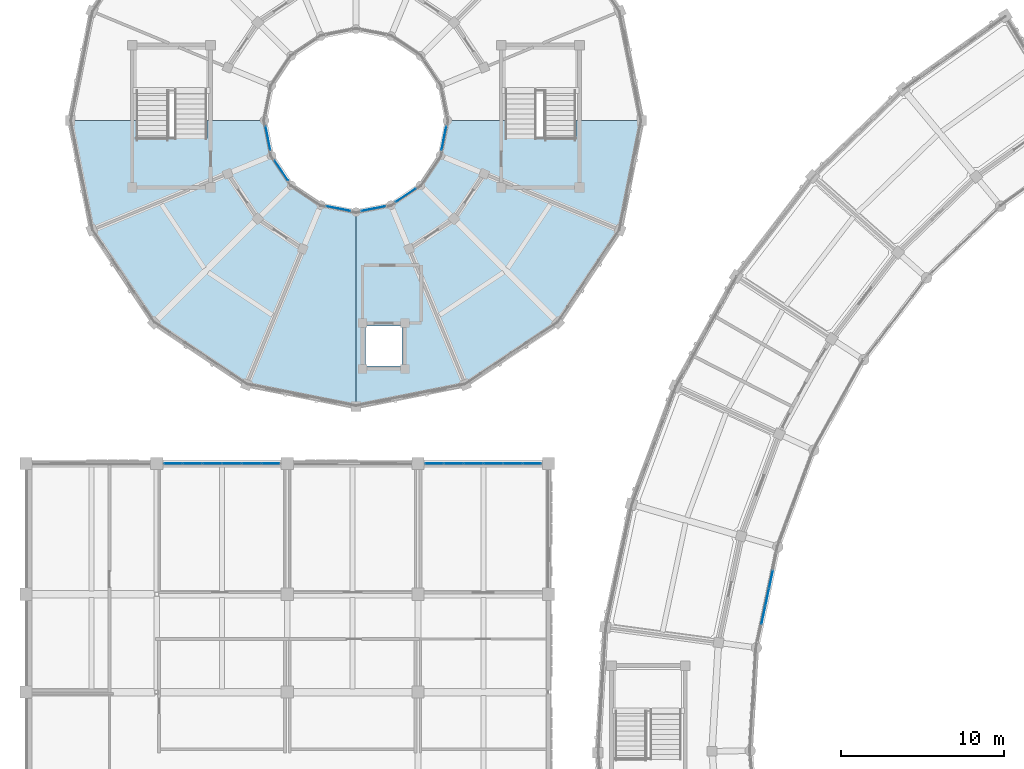
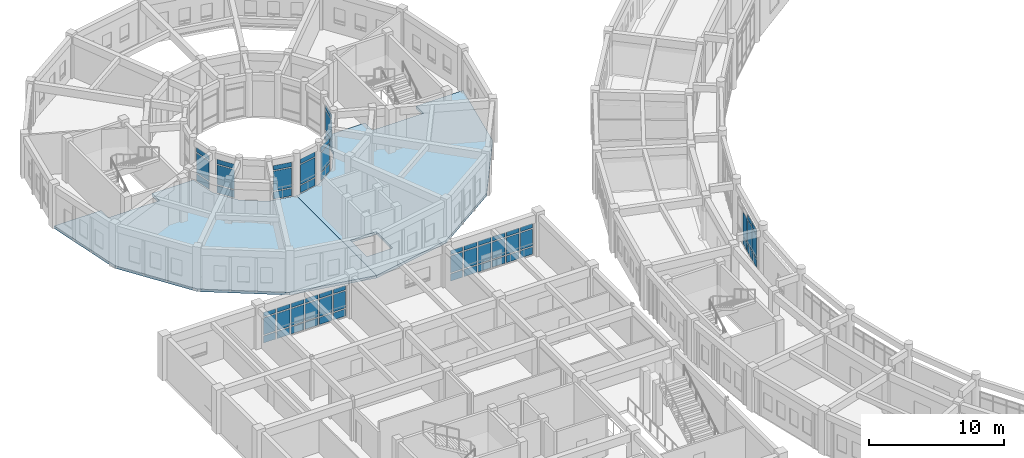
# One storey, part 108 of 159: 62 plates, 2 slabs, 9 elements without a shape of their own.
"""IFC4 building model written with IfcOpenShell, lengths in metres."""

from ifc_helpers import new_model, si_unit, direction, frame, origin, origin_2d, place, context, subcontext, project, spatial, polyline, rectangle, outline, extrude, material, layer, layer_set, type_object, element, aggregate, save


model = new_model("IFC4")

# Units and contexts
model_context = context("Model", 3, precision=1e-05, world=origin(), true_north=direction((0.0, 1.0)))
body_context = subcontext(model_context, "Body", "Model", "MODEL_VIEW")
ifc_project = project(units=[si_unit("LENGTHUNIT", "METRE"), si_unit("AREAUNIT", "SQUARE_METRE"), si_unit("VOLUMEUNIT", "CUBIC_METRE"), si_unit("PLANEANGLEUNIT", "RADIAN"), si_unit("MASSUNIT", "GRAM", prefix="KILO")], contexts=[model_context])

# Site, building, storey
site_placement = place(None, origin())
site = spatial("IfcSite", under=ifc_project, at=site_placement, CompositionType="ELEMENT")
building_placement = place(site_placement, origin())
building = spatial("IfcBuilding", under=site, at=building_placement, Name="Celadon Cloister-Ring School", CompositionType="ELEMENT")
storey_placement = place(building_placement, frame((0.0, 0.0, 4.5)))
storey = spatial("IfcBuildingStorey", under=building, at=storey_placement, Name="L01", CompositionType="ELEMENT", Elevation=4.5)

# Curtain wall, plates
ifc_material_1 = material(Name="Aluminium EN AW-6063 T6", Category="aluminium")
curtain_wall_type_1 = type_object("IfcCurtainWallType", Name="CW-04", PredefinedType="USERDEFINED", material=ifc_material_1)
curtain_wall_1_placement = place(storey_placement, origin())
curtain_wall_1 = element("IfcCurtainWall", 1, at=curtain_wall_1_placement, inside=storey, type_object=curtain_wall_type_1, Name="Curtain Wall 0097", ObjectType="CURTAIN WALL", PredefinedType="USERDEFINED")
ifc_material_2 = material(Name="Tempered laminated insulating glass", Category="glass")
ifc_layer_1 = layer(ifc_material_2, 0.02001953125)
ifc_layer_set_1 = layer_set([ifc_layer_1], Name="Tempered laminated insulating glass")
plate_type_1 = type_object("IfcPlateType", Name="CPN-01", PredefinedType="CURTAIN_PANEL", material=ifc_layer_set_1)
plate_1_placement = place(storey_placement, frame((14.81298828125, 95.928466796875, 0.090087890625), z_axis=(0.0, 0.0, 1.0), x_axis=(0.194586131301, -0.980885435464, 0.0)))
plate_1 = element("IfcPlate", 2, at=plate_1_placement, type_object=plate_type_1, Name="CW-04 panel 1.1", PredefinedType="CURTAIN_PANEL", context=body_context, shape_type="SweptSolid", body=[
    extrude(rectangle(XDim=1.4443359375, YDim=0.02001953125, at=origin_2d()), origin(), (0.0, 0.0, 1.0), 0.6650390625),
])
plate_2_placement = place(storey_placement, frame((14.81298828125, 95.928466796875, 0.84521484375), z_axis=(0.0, 0.0, 1.0), x_axis=(0.194586131301, -0.980885435464, 0.0)))
plate_2 = element("IfcPlate", 3, at=plate_2_placement, type_object=plate_type_1, Name="CW-04 panel 1.2", PredefinedType="CURTAIN_PANEL", context=body_context, shape_type="SweptSolid", body=[
    extrude(rectangle(XDim=1.4443359375, YDim=0.02001953125, at=origin_2d()), origin(), (0.0, 0.0, 1.0), 1.781982421875),
])
plate_3_placement = place(storey_placement, frame((14.81298828125, 95.928466796875, 2.717041015625), z_axis=(0.0, 0.0, 1.0), x_axis=(0.194586131301, -0.980885435464, 0.0)))
plate_3 = element("IfcPlate", 4, at=plate_3_placement, type_object=plate_type_1, Name="CW-04 panel 1.3", PredefinedType="CURTAIN_PANEL", context=body_context, shape_type="SweptSolid", body=[
    extrude(rectangle(XDim=1.4443359375, YDim=0.02001953125, at=origin_2d()), origin(), (0.0, 0.0, 1.0), 0.4150390625),
])
aggregate(curtain_wall_1, [plate_1, plate_2, plate_3])

curtain_wall_2_placement = place(storey_placement, origin())
curtain_wall_2 = element("IfcCurtainWall", 5, at=curtain_wall_2_placement, inside=storey, type_object=curtain_wall_type_1, Name="Curtain Wall 0098", ObjectType="CURTAIN WALL", PredefinedType="USERDEFINED")
plate_4_placement = place(storey_placement, frame((15.633056640625, 93.948486328125, 0.090087890625), z_axis=(0.0, 0.0, 1.0), x_axis=(0.555547066224, -0.831485091394, 0.0)))
plate_4 = element("IfcPlate", 6, at=plate_4_placement, type_object=plate_type_1, Name="CW-04 panel 1.1", PredefinedType="CURTAIN_PANEL", context=body_context, shape_type="SweptSolid", body=[
    extrude(rectangle(XDim=1.4443359375, YDim=0.02001953125, at=origin_2d()), origin(), (0.0, 0.0, 1.0), 0.6650390625),
])
plate_5_placement = place(storey_placement, frame((15.633056640625, 93.948486328125, 0.84521484375), z_axis=(0.0, 0.0, 1.0), x_axis=(0.555547066224, -0.831485091394, 0.0)))
plate_5 = element("IfcPlate", 7, at=plate_5_placement, type_object=plate_type_1, Name="CW-04 panel 1.2", PredefinedType="CURTAIN_PANEL", context=body_context, shape_type="SweptSolid", body=[
    extrude(rectangle(XDim=1.4443359375, YDim=0.02001953125, at=origin_2d()), origin(), (0.0, 0.0, 1.0), 1.781982421875),
])
plate_6_placement = place(storey_placement, frame((15.633056640625, 93.948486328125, 2.717041015625), z_axis=(0.0, 0.0, 1.0), x_axis=(0.555547066224, -0.831485091394, 0.0)))
plate_6 = element("IfcPlate", 8, at=plate_6_placement, type_object=plate_type_1, Name="CW-04 panel 1.3", PredefinedType="CURTAIN_PANEL", context=body_context, shape_type="SweptSolid", body=[
    extrude(rectangle(XDim=1.4443359375, YDim=0.02001953125, at=origin_2d()), origin(), (0.0, 0.0, 1.0), 0.4150390625),
])
aggregate(curtain_wall_2, [plate_4, plate_5, plate_6])

curtain_wall_3_placement = place(storey_placement, origin())
curtain_wall_3 = element("IfcCurtainWall", 9, at=curtain_wall_3_placement, inside=storey, type_object=curtain_wall_type_1, Name="Curtain Wall 0099", ObjectType="CURTAIN WALL", PredefinedType="USERDEFINED")
plate_7_placement = place(storey_placement, frame((19.12841796875, 91.613037109375, 0.090087890625), z_axis=(0.0, 0.0, 1.0), x_axis=(0.980885435464, -0.194586131301, 0.0)))
plate_7 = element("IfcPlate", 10, at=plate_7_placement, type_object=plate_type_1, Name="CW-04 panel 1.1", PredefinedType="CURTAIN_PANEL", context=body_context, shape_type="SweptSolid", body=[
    extrude(rectangle(XDim=1.4443359375, YDim=0.02001953125, at=origin_2d()), origin(), (0.0, 0.0, 1.0), 0.6650390625),
])
plate_8_placement = place(storey_placement, frame((19.12841796875, 91.613037109375, 0.84521484375), z_axis=(0.0, 0.0, 1.0), x_axis=(0.980885435464, -0.194586131301, 0.0)))
plate_8 = element("IfcPlate", 11, at=plate_8_placement, type_object=plate_type_1, Name="CW-04 panel 1.2", PredefinedType="CURTAIN_PANEL", context=body_context, shape_type="SweptSolid", body=[
    extrude(rectangle(XDim=1.4443359375, YDim=0.02001953125, at=origin_2d()), origin(), (0.0, 0.0, 1.0), 1.781982421875),
])
plate_9_placement = place(storey_placement, frame((19.12841796875, 91.613037109375, 2.717041015625), z_axis=(0.0, 0.0, 1.0), x_axis=(0.980885435464, -0.194586131301, 0.0)))
plate_9 = element("IfcPlate", 12, at=plate_9_placement, type_object=plate_type_1, Name="CW-04 panel 1.3", PredefinedType="CURTAIN_PANEL", context=body_context, shape_type="SweptSolid", body=[
    extrude(rectangle(XDim=1.4443359375, YDim=0.02001953125, at=origin_2d()), origin(), (0.0, 0.0, 1.0), 0.4150390625),
])
aggregate(curtain_wall_3, [plate_7, plate_8, plate_9])

curtain_wall_4_placement = place(storey_placement, origin())
curtain_wall_4 = element("IfcCurtainWall", 13, at=curtain_wall_4_placement, inside=storey, type_object=curtain_wall_type_1, Name="Curtain Wall 0100", ObjectType="CURTAIN WALL", PredefinedType="USERDEFINED")
plate_10_placement = place(storey_placement, frame((21.271484375, 91.613037109375, 0.090087890625), z_axis=(0.0, 0.0, 1.0), x_axis=(0.980885435464, 0.194586131301, 0.0)))
plate_10 = element("IfcPlate", 14, at=plate_10_placement, type_object=plate_type_1, Name="CW-04 panel 1.1", PredefinedType="CURTAIN_PANEL", context=body_context, shape_type="SweptSolid", body=[
    extrude(rectangle(XDim=1.4443359375, YDim=0.02001953125, at=origin_2d()), origin(), (0.0, 0.0, 1.0), 0.6650390625),
])
plate_11_placement = place(storey_placement, frame((21.271484375, 91.613037109375, 0.84521484375), z_axis=(0.0, 0.0, 1.0), x_axis=(0.980885435464, 0.194586131301, 0.0)))
plate_11 = element("IfcPlate", 15, at=plate_11_placement, type_object=plate_type_1, Name="CW-04 panel 1.2", PredefinedType="CURTAIN_PANEL", context=body_context, shape_type="SweptSolid", body=[
    extrude(rectangle(XDim=1.4443359375, YDim=0.02001953125, at=origin_2d()), origin(), (0.0, 0.0, 1.0), 1.781982421875),
])
plate_12_placement = place(storey_placement, frame((21.271484375, 91.613037109375, 2.717041015625), z_axis=(0.0, 0.0, 1.0), x_axis=(0.980885435464, 0.194586131301, 0.0)))
plate_12 = element("IfcPlate", 16, at=plate_12_placement, type_object=plate_type_1, Name="CW-04 panel 1.3", PredefinedType="CURTAIN_PANEL", context=body_context, shape_type="SweptSolid", body=[
    extrude(rectangle(XDim=1.4443359375, YDim=0.02001953125, at=origin_2d()), origin(), (0.0, 0.0, 1.0), 0.4150390625),
])
aggregate(curtain_wall_4, [plate_10, plate_11, plate_12])

curtain_wall_5_placement = place(storey_placement, origin())
curtain_wall_5 = element("IfcCurtainWall", 17, at=curtain_wall_5_placement, inside=storey, type_object=curtain_wall_type_1, Name="Curtain Wall 0101", ObjectType="CURTAIN WALL", PredefinedType="USERDEFINED")
plate_13_placement = place(storey_placement, frame((23.25146484375, 92.43310546875, 0.090087890625), z_axis=(0.0, 0.0, 1.0), x_axis=(0.831485091394, 0.555547066224, 0.0)))
plate_13 = element("IfcPlate", 18, at=plate_13_placement, type_object=plate_type_1, Name="CW-04 panel 1.1", PredefinedType="CURTAIN_PANEL", context=body_context, shape_type="SweptSolid", body=[
    extrude(rectangle(XDim=1.4443359375, YDim=0.02001953125, at=origin_2d()), origin(), (0.0, 0.0, 1.0), 0.6650390625),
])
plate_14_placement = place(storey_placement, frame((23.25146484375, 92.43310546875, 0.84521484375), z_axis=(0.0, 0.0, 1.0), x_axis=(0.831485091394, 0.555547066224, 0.0)))
plate_14 = element("IfcPlate", 19, at=plate_14_placement, type_object=plate_type_1, Name="CW-04 panel 1.2", PredefinedType="CURTAIN_PANEL", context=body_context, shape_type="SweptSolid", body=[
    extrude(rectangle(XDim=1.4443359375, YDim=0.02001953125, at=origin_2d()), origin(), (0.0, 0.0, 1.0), 1.781982421875),
])
plate_15_placement = place(storey_placement, frame((23.25146484375, 92.43310546875, 2.717041015625), z_axis=(0.0, 0.0, 1.0), x_axis=(0.831485091394, 0.555547066224, 0.0)))
plate_15 = element("IfcPlate", 20, at=plate_15_placement, type_object=plate_type_1, Name="CW-04 panel 1.3", PredefinedType="CURTAIN_PANEL", context=body_context, shape_type="SweptSolid", body=[
    extrude(rectangle(XDim=1.4443359375, YDim=0.02001953125, at=origin_2d()), origin(), (0.0, 0.0, 1.0), 0.4150390625),
])
aggregate(curtain_wall_5, [plate_13, plate_14, plate_15])

curtain_wall_6_placement = place(storey_placement, origin())
curtain_wall_6 = element("IfcCurtainWall", 21, at=curtain_wall_6_placement, inside=storey, type_object=curtain_wall_type_1, Name="Curtain Wall 0102", ObjectType="CURTAIN WALL", PredefinedType="USERDEFINED")
plate_16_placement = place(storey_placement, frame((25.5869140625, 95.928466796875, 0.090087890625), z_axis=(0.0, 0.0, 1.0), x_axis=(0.194586131301, 0.980885435464, 0.0)))
plate_16 = element("IfcPlate", 22, at=plate_16_placement, type_object=plate_type_1, Name="CW-04 panel 1.1", PredefinedType="CURTAIN_PANEL", context=body_context, shape_type="SweptSolid", body=[
    extrude(rectangle(XDim=1.4443359375, YDim=0.02001953125, at=origin_2d()), origin(), (0.0, 0.0, 1.0), 0.6650390625),
])
plate_17_placement = place(storey_placement, frame((25.5869140625, 95.928466796875, 0.84521484375), z_axis=(0.0, 0.0, 1.0), x_axis=(0.194586131301, 0.980885435464, 0.0)))
plate_17 = element("IfcPlate", 23, at=plate_17_placement, type_object=plate_type_1, Name="CW-04 panel 1.2", PredefinedType="CURTAIN_PANEL", context=body_context, shape_type="SweptSolid", body=[
    extrude(rectangle(XDim=1.4443359375, YDim=0.02001953125, at=origin_2d()), origin(), (0.0, 0.0, 1.0), 1.781982421875),
])
plate_18_placement = place(storey_placement, frame((25.5869140625, 95.928466796875, 2.717041015625), z_axis=(0.0, 0.0, 1.0), x_axis=(0.194586131301, 0.980885435464, 0.0)))
plate_18 = element("IfcPlate", 24, at=plate_18_placement, type_object=plate_type_1, Name="CW-04 panel 1.3", PredefinedType="CURTAIN_PANEL", context=body_context, shape_type="SweptSolid", body=[
    extrude(rectangle(XDim=1.4443359375, YDim=0.02001953125, at=origin_2d()), origin(), (0.0, 0.0, 1.0), 0.4150390625),
])
aggregate(curtain_wall_6, [plate_16, plate_17, plate_18])

ifc_material_3 = material(Name="Aluminium EN AW-6063 T6", Category="aluminium")
curtain_wall_type_2 = type_object("IfcCurtainWallType", Name="CW-14", PredefinedType="USERDEFINED", material=ifc_material_3)
curtain_wall_7_placement = place(storey_placement, origin())
curtain_wall_7 = element("IfcCurtainWall", 25, at=curtain_wall_7_placement, inside=storey, type_object=curtain_wall_type_2, Name="Curtain Wall 0195", ObjectType="CURTAIN WALL", PredefinedType="USERDEFINED")
plate_19_placement = place(storey_placement, frame((9.006591796875, 76.0, 0.10498046875), z_axis=(0.0, 0.0, 1.0), x_axis=(1.0, 0.0, 0.0)))
plate_19 = element("IfcPlate", 26, at=plate_19_placement, type_object=plate_type_1, Name="CW-14 panel 1.1", PredefinedType="CURTAIN_PANEL", context=body_context, shape_type="SweptSolid", body=[
    extrude(rectangle(XDim=1.043212890625, YDim=0.02001953125, at=origin_2d()), origin(), (0.0, 0.0, 1.0), 0.642578125),
])
plate_20_placement = place(storey_placement, frame((9.006591796875, 76.0, 0.8525390625), z_axis=(0.0, 0.0, 1.0), x_axis=(1.0, 0.0, 0.0)))
plate_20 = element("IfcPlate", 27, at=plate_20_placement, type_object=plate_type_1, Name="CW-14 panel 1.2", PredefinedType="CURTAIN_PANEL", context=body_context, shape_type="SweptSolid", body=[
    extrude(rectangle(XDim=1.043212890625, YDim=0.02001953125, at=origin_2d()), origin(), (0.0, 0.0, 1.0), 1.527099609375),
])
plate_21_placement = place(storey_placement, frame((9.006591796875, 76.0, 2.484375), z_axis=(0.0, 0.0, 1.0), x_axis=(1.0, 0.0, 0.0)))
plate_21 = element("IfcPlate", 28, at=plate_21_placement, type_object=plate_type_1, Name="CW-14 panel 1.3", PredefinedType="CURTAIN_PANEL", context=body_context, shape_type="SweptSolid", body=[
    extrude(rectangle(XDim=1.043212890625, YDim=0.02001953125, at=origin_2d()), origin(), (0.0, 0.0, 1.0), 0.392578125),
])
plate_22_placement = place(storey_placement, frame((10.1875, 76.0, 0.10498046875), z_axis=(0.0, 0.0, 1.0), x_axis=(1.0, 0.0, 0.0)))
plate_22 = element("IfcPlate", 29, at=plate_22_placement, type_object=plate_type_1, Name="CW-14 panel 2.1", PredefinedType="CURTAIN_PANEL", context=body_context, shape_type="SweptSolid", body=[
    extrude(rectangle(XDim=1.098388671875, YDim=0.02001953125, at=origin_2d()), origin(), (0.0, 0.0, 1.0), 0.642578125),
])
plate_23_placement = place(storey_placement, frame((10.1875, 76.0, 0.8525390625), z_axis=(0.0, 0.0, 1.0), x_axis=(1.0, 0.0, 0.0)))
plate_23 = element("IfcPlate", 30, at=plate_23_placement, type_object=plate_type_1, Name="CW-14 panel 2.2", PredefinedType="CURTAIN_PANEL", context=body_context, shape_type="SweptSolid", body=[
    extrude(rectangle(XDim=1.098388671875, YDim=0.02001953125, at=origin_2d()), origin(), (0.0, 0.0, 1.0), 1.527099609375),
])
plate_24_placement = place(storey_placement, frame((10.1875, 76.0, 2.484375), z_axis=(0.0, 0.0, 1.0), x_axis=(1.0, 0.0, 0.0)))
plate_24 = element("IfcPlate", 31, at=plate_24_placement, type_object=plate_type_1, Name="CW-14 panel 2.3", PredefinedType="CURTAIN_PANEL", context=body_context, shape_type="SweptSolid", body=[
    extrude(rectangle(XDim=1.098388671875, YDim=0.02001953125, at=origin_2d()), origin(), (0.0, 0.0, 1.0), 0.392578125),
])
plate_25_placement = place(storey_placement, frame((11.395751953125, 76.0, 0.10498046875), z_axis=(0.0, 0.0, 1.0), x_axis=(1.0, 0.0, 0.0)))
plate_25 = element("IfcPlate", 32, at=plate_25_placement, type_object=plate_type_1, Name="CW-14 panel 3.1", PredefinedType="CURTAIN_PANEL", context=body_context, shape_type="SweptSolid", body=[
    extrude(rectangle(XDim=1.098388671875, YDim=0.02001953125, at=origin_2d()), origin(), (0.0, 0.0, 1.0), 0.642578125),
])
plate_26_placement = place(storey_placement, frame((11.395751953125, 76.0, 0.8525390625), z_axis=(0.0, 0.0, 1.0), x_axis=(1.0, 0.0, 0.0)))
plate_26 = element("IfcPlate", 33, at=plate_26_placement, type_object=plate_type_1, Name="CW-14 panel 3.2", PredefinedType="CURTAIN_PANEL", context=body_context, shape_type="SweptSolid", body=[
    extrude(rectangle(XDim=1.098388671875, YDim=0.02001953125, at=origin_2d()), origin(), (0.0, 0.0, 1.0), 1.527099609375),
])
plate_27_placement = place(storey_placement, frame((11.395751953125, 76.0, 2.484375), z_axis=(0.0, 0.0, 1.0), x_axis=(1.0, 0.0, 0.0)))
plate_27 = element("IfcPlate", 34, at=plate_27_placement, type_object=plate_type_1, Name="CW-14 panel 3.3", PredefinedType="CURTAIN_PANEL", context=body_context, shape_type="SweptSolid", body=[
    extrude(rectangle(XDim=1.098388671875, YDim=0.02001953125, at=origin_2d()), origin(), (0.0, 0.0, 1.0), 0.392578125),
])
plate_28_placement = place(storey_placement, frame((12.604248046875, 76.0, 0.10498046875), z_axis=(0.0, 0.0, 1.0), x_axis=(1.0, 0.0, 0.0)))
plate_28 = element("IfcPlate", 35, at=plate_28_placement, type_object=plate_type_1, Name="CW-14 panel 4.1", PredefinedType="CURTAIN_PANEL", context=body_context, shape_type="SweptSolid", body=[
    extrude(rectangle(XDim=1.098388671875, YDim=0.02001953125, at=origin_2d()), origin(), (0.0, 0.0, 1.0), 0.642578125),
])
plate_29_placement = place(storey_placement, frame((12.604248046875, 76.0, 0.8525390625), z_axis=(0.0, 0.0, 1.0), x_axis=(1.0, 0.0, 0.0)))
plate_29 = element("IfcPlate", 36, at=plate_29_placement, type_object=plate_type_1, Name="CW-14 panel 4.2", PredefinedType="CURTAIN_PANEL", context=body_context, shape_type="SweptSolid", body=[
    extrude(rectangle(XDim=1.098388671875, YDim=0.02001953125, at=origin_2d()), origin(), (0.0, 0.0, 1.0), 1.527099609375),
])
plate_30_placement = place(storey_placement, frame((12.604248046875, 76.0, 2.484375), z_axis=(0.0, 0.0, 1.0), x_axis=(1.0, 0.0, 0.0)))
plate_30 = element("IfcPlate", 37, at=plate_30_placement, type_object=plate_type_1, Name="CW-14 panel 4.3", PredefinedType="CURTAIN_PANEL", context=body_context, shape_type="SweptSolid", body=[
    extrude(rectangle(XDim=1.098388671875, YDim=0.02001953125, at=origin_2d()), origin(), (0.0, 0.0, 1.0), 0.392578125),
])
plate_31_placement = place(storey_placement, frame((13.8125, 76.0, 0.10498046875), z_axis=(0.0, 0.0, 1.0), x_axis=(1.0, 0.0, 0.0)))
plate_31 = element("IfcPlate", 38, at=plate_31_placement, type_object=plate_type_1, Name="CW-14 panel 5.1", PredefinedType="CURTAIN_PANEL", context=body_context, shape_type="SweptSolid", body=[
    extrude(rectangle(XDim=1.098388671875, YDim=0.02001953125, at=origin_2d()), origin(), (0.0, 0.0, 1.0), 0.642578125),
])
plate_32_placement = place(storey_placement, frame((13.8125, 76.0, 0.8525390625), z_axis=(0.0, 0.0, 1.0), x_axis=(1.0, 0.0, 0.0)))
plate_32 = element("IfcPlate", 39, at=plate_32_placement, type_object=plate_type_1, Name="CW-14 panel 5.2", PredefinedType="CURTAIN_PANEL", context=body_context, shape_type="SweptSolid", body=[
    extrude(rectangle(XDim=1.098388671875, YDim=0.02001953125, at=origin_2d()), origin(), (0.0, 0.0, 1.0), 1.527099609375),
])
plate_33_placement = place(storey_placement, frame((13.8125, 76.0, 2.484375), z_axis=(0.0, 0.0, 1.0), x_axis=(1.0, 0.0, 0.0)))
plate_33 = element("IfcPlate", 40, at=plate_33_placement, type_object=plate_type_1, Name="CW-14 panel 5.3", PredefinedType="CURTAIN_PANEL", context=body_context, shape_type="SweptSolid", body=[
    extrude(rectangle(XDim=1.098388671875, YDim=0.02001953125, at=origin_2d()), origin(), (0.0, 0.0, 1.0), 0.392578125),
])
plate_34_placement = place(storey_placement, frame((14.993408203125, 76.0, 0.10498046875), z_axis=(0.0, 0.0, 1.0), x_axis=(1.0, 0.0, 0.0)))
plate_34 = element("IfcPlate", 41, at=plate_34_placement, type_object=plate_type_1, Name="CW-14 panel 6.1", PredefinedType="CURTAIN_PANEL", context=body_context, shape_type="SweptSolid", body=[
    extrude(rectangle(XDim=1.043212890625, YDim=0.02001953125, at=origin_2d()), origin(), (0.0, 0.0, 1.0), 0.642578125),
])
plate_35_placement = place(storey_placement, frame((14.993408203125, 76.0, 0.8525390625), z_axis=(0.0, 0.0, 1.0), x_axis=(1.0, 0.0, 0.0)))
plate_35 = element("IfcPlate", 42, at=plate_35_placement, type_object=plate_type_1, Name="CW-14 panel 6.2", PredefinedType="CURTAIN_PANEL", context=body_context, shape_type="SweptSolid", body=[
    extrude(rectangle(XDim=1.043212890625, YDim=0.02001953125, at=origin_2d()), origin(), (0.0, 0.0, 1.0), 1.527099609375),
])
plate_36_placement = place(storey_placement, frame((14.993408203125, 76.0, 2.484375), z_axis=(0.0, 0.0, 1.0), x_axis=(1.0, 0.0, 0.0)))
plate_36 = element("IfcPlate", 43, at=plate_36_placement, type_object=plate_type_1, Name="CW-14 panel 6.3", PredefinedType="CURTAIN_PANEL", context=body_context, shape_type="SweptSolid", body=[
    extrude(rectangle(XDim=1.043212890625, YDim=0.02001953125, at=origin_2d()), origin(), (0.0, 0.0, 1.0), 0.392578125),
])
aggregate(curtain_wall_7, [plate_19, plate_20, plate_21, plate_22, plate_23, plate_24, plate_25, plate_26, plate_27, plate_28, plate_29, plate_30, plate_31, plate_32, plate_33, plate_34, plate_35, plate_36])

curtain_wall_8_placement = place(storey_placement, origin())
curtain_wall_8 = element("IfcCurtainWall", 44, at=curtain_wall_8_placement, inside=storey, type_object=curtain_wall_type_2, Name="Curtain Wall 0196", ObjectType="CURTAIN WALL", PredefinedType="USERDEFINED")
plate_37_placement = place(storey_placement, frame((25.006591796875, 76.0, 0.10498046875), z_axis=(0.0, 0.0, 1.0), x_axis=(1.0, 0.0, 0.0)))
plate_37 = element("IfcPlate", 45, at=plate_37_placement, type_object=plate_type_1, Name="CW-14 panel 1.1", PredefinedType="CURTAIN_PANEL", context=body_context, shape_type="SweptSolid", body=[
    extrude(rectangle(XDim=1.043212890625, YDim=0.02001953125, at=origin_2d()), origin(), (0.0, 0.0, 1.0), 0.642578125),
])
plate_38_placement = place(storey_placement, frame((25.006591796875, 76.0, 0.8525390625), z_axis=(0.0, 0.0, 1.0), x_axis=(1.0, 0.0, 0.0)))
plate_38 = element("IfcPlate", 46, at=plate_38_placement, type_object=plate_type_1, Name="CW-14 panel 1.2", PredefinedType="CURTAIN_PANEL", context=body_context, shape_type="SweptSolid", body=[
    extrude(rectangle(XDim=1.043212890625, YDim=0.02001953125, at=origin_2d()), origin(), (0.0, 0.0, 1.0), 1.527099609375),
])
plate_39_placement = place(storey_placement, frame((25.006591796875, 76.0, 2.484375), z_axis=(0.0, 0.0, 1.0), x_axis=(1.0, 0.0, 0.0)))
plate_39 = element("IfcPlate", 47, at=plate_39_placement, type_object=plate_type_1, Name="CW-14 panel 1.3", PredefinedType="CURTAIN_PANEL", context=body_context, shape_type="SweptSolid", body=[
    extrude(rectangle(XDim=1.043212890625, YDim=0.02001953125, at=origin_2d()), origin(), (0.0, 0.0, 1.0), 0.392578125),
])
plate_40_placement = place(storey_placement, frame((26.1875, 76.0, 0.10498046875), z_axis=(0.0, 0.0, 1.0), x_axis=(1.0, 0.0, 0.0)))
plate_40 = element("IfcPlate", 48, at=plate_40_placement, type_object=plate_type_1, Name="CW-14 panel 2.1", PredefinedType="CURTAIN_PANEL", context=body_context, shape_type="SweptSolid", body=[
    extrude(rectangle(XDim=1.098388671875, YDim=0.02001953125, at=origin_2d()), origin(), (0.0, 0.0, 1.0), 0.642578125),
])
plate_41_placement = place(storey_placement, frame((26.1875, 76.0, 0.8525390625), z_axis=(0.0, 0.0, 1.0), x_axis=(1.0, 0.0, 0.0)))
plate_41 = element("IfcPlate", 49, at=plate_41_placement, type_object=plate_type_1, Name="CW-14 panel 2.2", PredefinedType="CURTAIN_PANEL", context=body_context, shape_type="SweptSolid", body=[
    extrude(rectangle(XDim=1.098388671875, YDim=0.02001953125, at=origin_2d()), origin(), (0.0, 0.0, 1.0), 1.527099609375),
])
plate_42_placement = place(storey_placement, frame((26.1875, 76.0, 2.484375), z_axis=(0.0, 0.0, 1.0), x_axis=(1.0, 0.0, 0.0)))
plate_42 = element("IfcPlate", 50, at=plate_42_placement, type_object=plate_type_1, Name="CW-14 panel 2.3", PredefinedType="CURTAIN_PANEL", context=body_context, shape_type="SweptSolid", body=[
    extrude(rectangle(XDim=1.098388671875, YDim=0.02001953125, at=origin_2d()), origin(), (0.0, 0.0, 1.0), 0.392578125),
])
plate_43_placement = place(storey_placement, frame((27.395751953125, 76.0, 0.10498046875), z_axis=(0.0, 0.0, 1.0), x_axis=(1.0, 0.0, 0.0)))
plate_43 = element("IfcPlate", 51, at=plate_43_placement, type_object=plate_type_1, Name="CW-14 panel 3.1", PredefinedType="CURTAIN_PANEL", context=body_context, shape_type="SweptSolid", body=[
    extrude(rectangle(XDim=1.098388671875, YDim=0.02001953125, at=origin_2d()), origin(), (0.0, 0.0, 1.0), 0.642578125),
])
plate_44_placement = place(storey_placement, frame((27.395751953125, 76.0, 0.8525390625), z_axis=(0.0, 0.0, 1.0), x_axis=(1.0, 0.0, 0.0)))
plate_44 = element("IfcPlate", 52, at=plate_44_placement, type_object=plate_type_1, Name="CW-14 panel 3.2", PredefinedType="CURTAIN_PANEL", context=body_context, shape_type="SweptSolid", body=[
    extrude(rectangle(XDim=1.098388671875, YDim=0.02001953125, at=origin_2d()), origin(), (0.0, 0.0, 1.0), 1.527099609375),
])
plate_45_placement = place(storey_placement, frame((27.395751953125, 76.0, 2.484375), z_axis=(0.0, 0.0, 1.0), x_axis=(1.0, 0.0, 0.0)))
plate_45 = element("IfcPlate", 53, at=plate_45_placement, type_object=plate_type_1, Name="CW-14 panel 3.3", PredefinedType="CURTAIN_PANEL", context=body_context, shape_type="SweptSolid", body=[
    extrude(rectangle(XDim=1.098388671875, YDim=0.02001953125, at=origin_2d()), origin(), (0.0, 0.0, 1.0), 0.392578125),
])
plate_46_placement = place(storey_placement, frame((28.604248046875, 76.0, 0.10498046875), z_axis=(0.0, 0.0, 1.0), x_axis=(1.0, 0.0, 0.0)))
plate_46 = element("IfcPlate", 54, at=plate_46_placement, type_object=plate_type_1, Name="CW-14 panel 4.1", PredefinedType="CURTAIN_PANEL", context=body_context, shape_type="SweptSolid", body=[
    extrude(rectangle(XDim=1.098388671875, YDim=0.02001953125, at=origin_2d()), origin(), (0.0, 0.0, 1.0), 0.642578125),
])
plate_47_placement = place(storey_placement, frame((28.604248046875, 76.0, 0.8525390625), z_axis=(0.0, 0.0, 1.0), x_axis=(1.0, 0.0, 0.0)))
plate_47 = element("IfcPlate", 55, at=plate_47_placement, type_object=plate_type_1, Name="CW-14 panel 4.2", PredefinedType="CURTAIN_PANEL", context=body_context, shape_type="SweptSolid", body=[
    extrude(rectangle(XDim=1.098388671875, YDim=0.02001953125, at=origin_2d()), origin(), (0.0, 0.0, 1.0), 1.527099609375),
])
plate_48_placement = place(storey_placement, frame((28.604248046875, 76.0, 2.484375), z_axis=(0.0, 0.0, 1.0), x_axis=(1.0, 0.0, 0.0)))
plate_48 = element("IfcPlate", 56, at=plate_48_placement, type_object=plate_type_1, Name="CW-14 panel 4.3", PredefinedType="CURTAIN_PANEL", context=body_context, shape_type="SweptSolid", body=[
    extrude(rectangle(XDim=1.098388671875, YDim=0.02001953125, at=origin_2d()), origin(), (0.0, 0.0, 1.0), 0.392578125),
])
plate_49_placement = place(storey_placement, frame((29.8125, 76.0, 0.10498046875), z_axis=(0.0, 0.0, 1.0), x_axis=(1.0, 0.0, 0.0)))
plate_49 = element("IfcPlate", 57, at=plate_49_placement, type_object=plate_type_1, Name="CW-14 panel 5.1", PredefinedType="CURTAIN_PANEL", context=body_context, shape_type="SweptSolid", body=[
    extrude(rectangle(XDim=1.098388671875, YDim=0.02001953125, at=origin_2d()), origin(), (0.0, 0.0, 1.0), 0.642578125),
])
plate_50_placement = place(storey_placement, frame((29.8125, 76.0, 0.8525390625), z_axis=(0.0, 0.0, 1.0), x_axis=(1.0, 0.0, 0.0)))
plate_50 = element("IfcPlate", 58, at=plate_50_placement, type_object=plate_type_1, Name="CW-14 panel 5.2", PredefinedType="CURTAIN_PANEL", context=body_context, shape_type="SweptSolid", body=[
    extrude(rectangle(XDim=1.098388671875, YDim=0.02001953125, at=origin_2d()), origin(), (0.0, 0.0, 1.0), 1.527099609375),
])
plate_51_placement = place(storey_placement, frame((29.8125, 76.0, 2.484375), z_axis=(0.0, 0.0, 1.0), x_axis=(1.0, 0.0, 0.0)))
plate_51 = element("IfcPlate", 59, at=plate_51_placement, type_object=plate_type_1, Name="CW-14 panel 5.3", PredefinedType="CURTAIN_PANEL", context=body_context, shape_type="SweptSolid", body=[
    extrude(rectangle(XDim=1.098388671875, YDim=0.02001953125, at=origin_2d()), origin(), (0.0, 0.0, 1.0), 0.392578125),
])
plate_52_placement = place(storey_placement, frame((30.993408203125, 76.0, 0.10498046875), z_axis=(0.0, 0.0, 1.0), x_axis=(1.0, 0.0, 0.0)))
plate_52 = element("IfcPlate", 60, at=plate_52_placement, type_object=plate_type_1, Name="CW-14 panel 6.1", PredefinedType="CURTAIN_PANEL", context=body_context, shape_type="SweptSolid", body=[
    extrude(rectangle(XDim=1.043212890625, YDim=0.02001953125, at=origin_2d()), origin(), (0.0, 0.0, 1.0), 0.642578125),
])
plate_53_placement = place(storey_placement, frame((30.993408203125, 76.0, 0.8525390625), z_axis=(0.0, 0.0, 1.0), x_axis=(1.0, 0.0, 0.0)))
plate_53 = element("IfcPlate", 61, at=plate_53_placement, type_object=plate_type_1, Name="CW-14 panel 6.2", PredefinedType="CURTAIN_PANEL", context=body_context, shape_type="SweptSolid", body=[
    extrude(rectangle(XDim=1.043212890625, YDim=0.02001953125, at=origin_2d()), origin(), (0.0, 0.0, 1.0), 1.527099609375),
])
plate_54_placement = place(storey_placement, frame((30.993408203125, 76.0, 2.484375), z_axis=(0.0, 0.0, 1.0), x_axis=(1.0, 0.0, 0.0)))
plate_54 = element("IfcPlate", 62, at=plate_54_placement, type_object=plate_type_1, Name="CW-14 panel 6.3", PredefinedType="CURTAIN_PANEL", context=body_context, shape_type="SweptSolid", body=[
    extrude(rectangle(XDim=1.043212890625, YDim=0.02001953125, at=origin_2d()), origin(), (0.0, 0.0, 1.0), 0.392578125),
])
aggregate(curtain_wall_8, [plate_37, plate_38, plate_39, plate_40, plate_41, plate_42, plate_43, plate_44, plate_45, plate_46, plate_47, plate_48, plate_49, plate_50, plate_51, plate_52, plate_53, plate_54])

ifc_material_4 = material(Name="Aluminium EN AW-6063 T6", Category="aluminium")
curtain_wall_type_3 = type_object("IfcCurtainWallType", Name="CW-01", PredefinedType="USERDEFINED", material=ifc_material_4)
curtain_wall_9_placement = place(storey_placement, origin())
curtain_wall_9 = element("IfcCurtainWall", 63, at=curtain_wall_9_placement, inside=storey, type_object=curtain_wall_type_3, Name="Curtain Wall 0024", ObjectType="CURTAIN WALL", PredefinedType="USERDEFINED")
ifc_material_5 = material(Name="Tempered laminated insulating glass", Category="glass")
ifc_layer_2 = layer(ifc_material_5, 0.028076171875)
ifc_layer_set_2 = layer_set([ifc_layer_2], Name="Tempered laminated insulating glass")
plate_type_2 = type_object("IfcPlateType", Name="CPN-02", PredefinedType="CURTAIN_PANEL", material=ifc_layer_set_2)
plate_55_placement = place(storey_placement, frame((45.623779296875, 68.917236328125, 0.074951171875), z_axis=(0.0, 0.0, 1.0), x_axis=(-0.207094964304, -0.978320844999, 0.0)))
plate_55 = element("IfcPlate", 64, at=plate_55_placement, type_object=plate_type_2, Name="CW-01 panel 2.1", PredefinedType="CURTAIN_PANEL", context=body_context, shape_type="SweptSolid", body=[
    extrude(rectangle(XDim=1.0537109375, YDim=0.028076171875, at=origin_2d()), origin(), (0.0, 0.0, 1.0), 0.6875),
])
plate_56_placement = place(storey_placement, frame((45.623779296875, 68.917236328125, 0.83740234375), z_axis=(0.0, 0.0, 1.0), x_axis=(-0.207094964304, -0.978320844999, 0.0)))
plate_56 = element("IfcPlate", 65, at=plate_56_placement, type_object=plate_type_2, Name="CW-01 panel 2.2", PredefinedType="CURTAIN_PANEL", context=body_context, shape_type="SweptSolid", body=[
    extrude(rectangle(XDim=1.0537109375, YDim=0.028076171875, at=origin_2d()), origin(), (0.0, 0.0, 1.0), 2.125),
])
plate_57_placement = place(storey_placement, frame((45.388916015625, 67.80810546875, 0.074951171875), z_axis=(0.0, 0.0, 1.0), x_axis=(-0.207094964304, -0.978320844999, 0.0)))
plate_57 = element("IfcPlate", 66, at=plate_57_placement, type_object=plate_type_2, Name="CW-01 panel 3.1", PredefinedType="CURTAIN_PANEL", context=body_context, shape_type="SweptSolid", body=[
    extrude(rectangle(XDim=1.0537109375, YDim=0.028076171875, at=origin_2d()), origin(), (0.0, 0.0, 1.0), 0.6875),
])
plate_58_placement = place(storey_placement, frame((45.388916015625, 67.80810546875, 0.83740234375), z_axis=(0.0, 0.0, 1.0), x_axis=(-0.207094964304, -0.978320844999, 0.0)))
plate_58 = element("IfcPlate", 67, at=plate_58_placement, type_object=plate_type_2, Name="CW-01 panel 3.2", PredefinedType="CURTAIN_PANEL", context=body_context, shape_type="SweptSolid", body=[
    extrude(rectangle(XDim=1.0537109375, YDim=0.028076171875, at=origin_2d()), origin(), (0.0, 0.0, 1.0), 2.125),
])
plate_59_placement = place(storey_placement, frame((45.388916015625, 67.80810546875, 3.03759765625), z_axis=(0.0, 0.0, 1.0), x_axis=(-0.207094964304, -0.978320844999, 0.0)))
plate_59 = element("IfcPlate", 68, at=plate_59_placement, type_object=plate_type_2, Name="CW-01 panel 3.3", PredefinedType="CURTAIN_PANEL", context=body_context, shape_type="SweptSolid", body=[
    extrude(rectangle(XDim=1.0537109375, YDim=0.028076171875, at=origin_2d()), origin(), (0.0, 0.0, 1.0), 0.4375),
])
plate_60_placement = place(storey_placement, frame((45.154296875, 66.69873046875, 0.074951171875), z_axis=(0.0, 0.0, 1.0), x_axis=(-0.207094964304, -0.978320844999, 0.0)))
plate_60 = element("IfcPlate", 69, at=plate_60_placement, type_object=plate_type_2, Name="CW-01 panel 4.1", PredefinedType="CURTAIN_PANEL", context=body_context, shape_type="SweptSolid", body=[
    extrude(rectangle(XDim=1.0537109375, YDim=0.028076171875, at=origin_2d()), origin(), (0.0, 0.0, 1.0), 0.6875),
])
plate_61_placement = place(storey_placement, frame((45.154296875, 66.69873046875, 0.83740234375), z_axis=(0.0, 0.0, 1.0), x_axis=(-0.207094964304, -0.978320844999, 0.0)))
plate_61 = element("IfcPlate", 70, at=plate_61_placement, type_object=plate_type_2, Name="CW-01 panel 4.2", PredefinedType="CURTAIN_PANEL", context=body_context, shape_type="SweptSolid", body=[
    extrude(rectangle(XDim=1.0537109375, YDim=0.028076171875, at=origin_2d()), origin(), (0.0, 0.0, 1.0), 2.125),
])
plate_62_placement = place(storey_placement, frame((45.154296875, 66.69873046875, 3.03759765625), z_axis=(0.0, 0.0, 1.0), x_axis=(-0.207094964304, -0.978320844999, 0.0)))
plate_62 = element("IfcPlate", 71, at=plate_62_placement, type_object=plate_type_2, Name="CW-01 panel 4.3", PredefinedType="CURTAIN_PANEL", context=body_context, shape_type="SweptSolid", body=[
    extrude(rectangle(XDim=1.0537109375, YDim=0.028076171875, at=origin_2d()), origin(), (0.0, 0.0, 1.0), 0.4375),
])
aggregate(curtain_wall_9, [plate_55, plate_56, plate_57, plate_58, plate_59, plate_60, plate_61, plate_62])

# Slabs
ifc_material_6 = material(Name="Concrete C35/45", Category="concrete")
ifc_layer_3 = layer(ifc_material_6, 0.239990234375)
ifc_layer_set_3 = layer_set([ifc_layer_3], Name="Concrete C35/45")
slab_type = type_object("IfcSlabType", Name="SL-FL3", PredefinedType="FLOOR", material=ifc_layer_set_3)
slab_1_placement = place(storey_placement, frame((0.0, 0.0, -0.239990234375)))
element("IfcSlab", 72, at=slab_1_placement, inside=storey, type_object=slab_type, Name="V3 Ring L01 Sector 0035", PredefinedType="FLOOR", context=body_context, shape_type="SweptSolid", body=[
    extrude(outline(polyline([(14.60009765625, 97.0), (15.02587890625, 94.85693359375), (16.239990234375, 93.0400390625), (18.056884765625, 91.825927734375), (20.199951171875, 91.39990234375), (20.199951171875, 79.5), (13.5029296875, 80.83203125), (7.825927734375, 84.6259765625), (4.031982421875, 90.302978515625), (2.699951171875, 97.0), (6.719970703125, 97.0), (6.719970703125, 95.9150390625), (11.080078125, 95.9150390625), (11.080078125, 97.0), (14.60009765625, 97.0)])), origin(), (0.0, 0.0, 1.0), 0.239990234375),
])
slab_2_placement = place(storey_placement, frame((0.0, 0.0, -0.239990234375)))
element("IfcSlab", 73, at=slab_2_placement, inside=storey, type_object=slab_type, Name="V3 Ring L01 Sector 0036", PredefinedType="FLOOR", context=body_context, shape_type="SweptSolid", body=[
    extrude(outline(polyline([(37.699951171875, 97.0), (36.367919921875, 90.302978515625), (32.573974609375, 84.6259765625), (26.89697265625, 80.83203125), (20.199951171875, 79.5), (20.199951171875, 91.39990234375), (22.343017578125, 91.825927734375), (24.159912109375, 93.0400390625), (25.3740234375, 94.85693359375), (25.800048828125, 97.0), (29.320068359375, 97.0), (29.320068359375, 95.9150390625), (33.679931640625, 95.9150390625), (33.679931640625, 97.0), (37.699951171875, 97.0)]), holes=[polyline([(23.02001953125, 81.97998046875), (23.02001953125, 84.419921875), (20.780029296875, 84.419921875), (20.780029296875, 81.97998046875), (23.02001953125, 81.97998046875)])]), origin(), (0.0, 0.0, 1.0), 0.239990234375),
])

save(model, "model.ifc")
